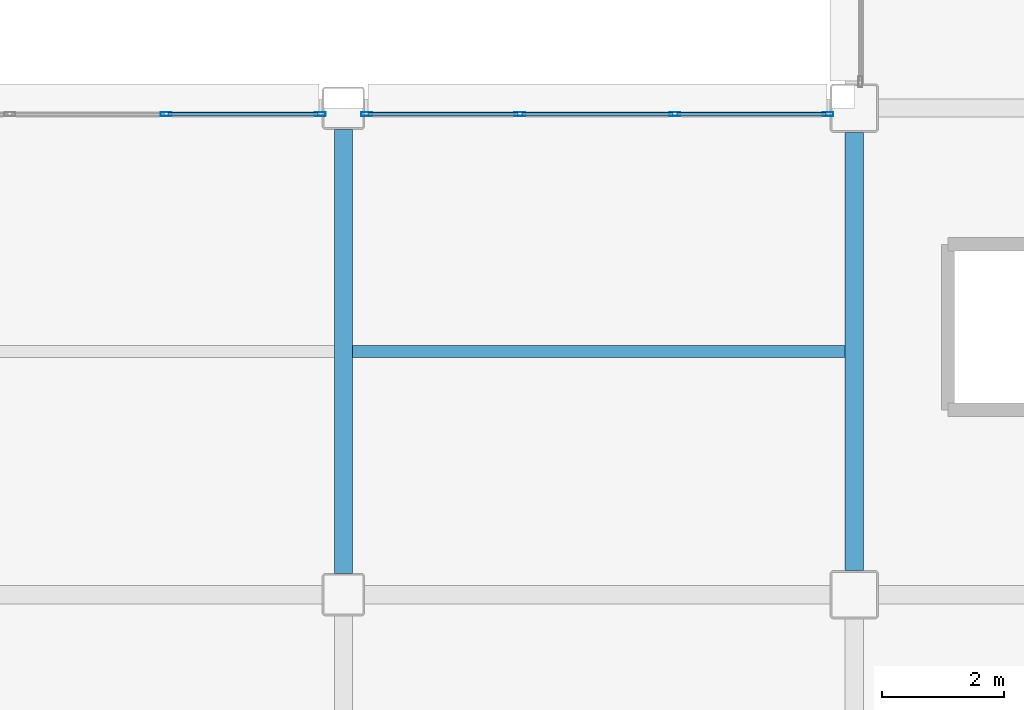
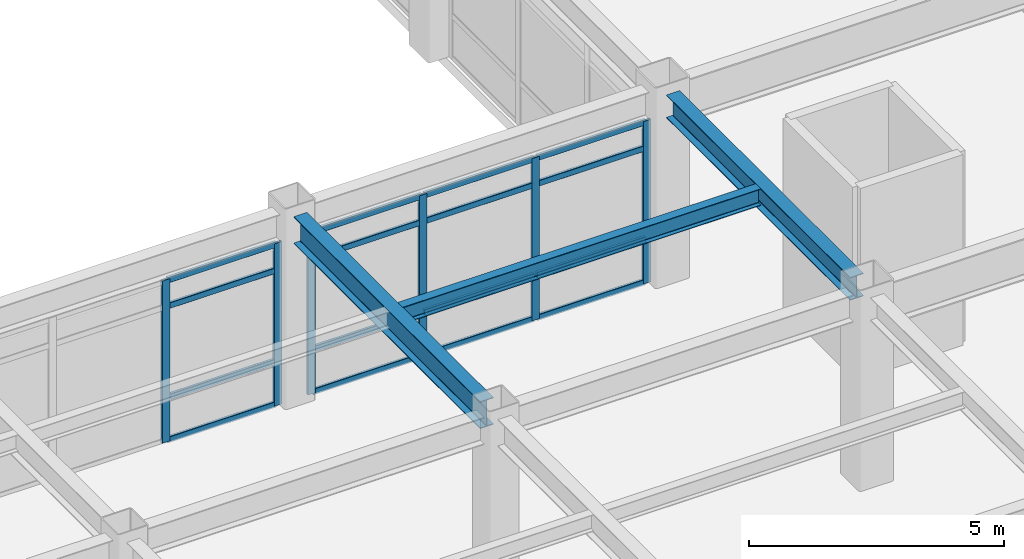
# One storey, part 85 of 154: 22 members, 3 beams, 2 elements without a shape of their own.
"""IFC4 building model written with IfcOpenShell, lengths in metres."""

from ifc_helpers import new_model, si_unit, direction, frame, origin, origin_2d, place, context, subcontext, project, spatial, hollow_rectangle, i_section, extrude, material, layer, layer_set, material_profile, profile_set, type_object, element, aggregate, save


model = new_model("IFC4")

# Units and contexts
model_context = context("Model", 3, precision=1e-05, world=origin(), true_north=direction((0.0, 1.0)))
body_context = subcontext(model_context, "Body", "Model", "MODEL_VIEW")
ifc_project = project(units=[si_unit("LENGTHUNIT", "METRE"), si_unit("AREAUNIT", "SQUARE_METRE"), si_unit("VOLUMEUNIT", "CUBIC_METRE"), si_unit("PLANEANGLEUNIT", "RADIAN"), si_unit("MASSUNIT", "GRAM", prefix="KILO")], contexts=[model_context])

# Site, building, storey
site_placement = place(None, origin())
site = spatial("IfcSite", under=ifc_project, at=site_placement, CompositionType="ELEMENT")
building_placement = place(site_placement, origin())
building = spatial("IfcBuilding", under=site, at=building_placement, Name="Kazehara Bluff Congress Hotel", CompositionType="ELEMENT")
storey_placement = place(building_placement, frame((0.0, 0.0, 10.199951171875)))
storey = spatial("IfcBuildingStorey", under=building, at=storey_placement, Name="L02", CompositionType="ELEMENT", Elevation=10.199951171875)

# Curtain wall, members
ifc_material_1 = material(Name="Anodised aluminium", Category="aluminium")
ifc_layer_1 = layer(ifc_material_1, 0.159912109375)
ifc_layer_set_1 = layer_set([ifc_layer_1], Name="Anodised aluminium")
curtain_wall_type_1 = type_object("IfcCurtainWallType", Name="TP-CW-79", PredefinedType="NOTDEFINED", material=ifc_layer_set_1)
curtain_wall_1_placement = place(storey_placement, origin())
curtain_wall_1 = element("IfcCurtainWall", 1, at=curtain_wall_1_placement, inside=storey, type_object=curtain_wall_type_1, Name="L02 curtain wall CW-79 CW-ENC-V5-L02-13110-3190", PredefinedType="NOTDEFINED")
ifc_material_2 = material(Name="Anodised aluminium", Category="aluminium")
ifc_material_profile_1 = material_profile(ifc_material_2, hollow_rectangle(XDim=0.06494140625, YDim=0.179931640625, WallThickness=0.00390625, InnerFilletRadius=0.00390625, OuterFilletRadius=0.008056640625, at=origin_2d()))
ifc_profile_set_1 = profile_set([ifc_material_profile_1], Name="Anodised aluminium")
member_type_1 = type_object("IfcMemberType", Name="TP-CWM-02", PredefinedType="MULLION", material=ifc_profile_set_1)
member_1_placement = place(storey_placement, frame((132.38330078125, 31.89990234375, 0.0), z_axis=(0.0, 0.0, 1.0), x_axis=(0.0, 1.0, 0.0)))
member_1 = element("IfcMember", 2, at=member_1_placement, type_object=member_type_1, Name="CW-79 mullion 3", PredefinedType="MULLION", context=body_context, shape_type="SweptSolid", body=[
    extrude(hollow_rectangle(XDim=0.06494140625, YDim=0.179931640625, WallThickness=0.00390625, InnerFilletRadius=0.00390625, OuterFilletRadius=0.008056640625, at=origin_2d()), origin(), (0.0, 0.0, 1.0), 3.885009765625),
])
member_2_placement = place(storey_placement, frame((134.91748046875, 31.89990234375, 0.0), z_axis=(0.0, 0.0, 1.0), x_axis=(0.0, 1.0, 0.0)))
member_2 = element("IfcMember", 3, at=member_2_placement, type_object=member_type_1, Name="CW-79 mullion 4", PredefinedType="MULLION", context=body_context, shape_type="SweptSolid", body=[
    extrude(hollow_rectangle(XDim=0.06494140625, YDim=0.179931640625, WallThickness=0.00390625, InnerFilletRadius=0.00390625, OuterFilletRadius=0.008056640625, at=origin_2d()), origin(), (0.0, 0.0, 1.0), 3.885009765625),
])

ifc_material_3 = material(Name="Anodised aluminium", Category="aluminium")
ifc_layer_2 = layer(ifc_material_3, 0.159912109375)
ifc_layer_set_2 = layer_set([ifc_layer_2], Name="Anodised aluminium")
curtain_wall_type_2 = type_object("IfcCurtainWallType", Name="TP-CW-22", PredefinedType="NOTDEFINED", material=ifc_layer_set_2)
curtain_wall_2_placement = place(storey_placement, origin())
curtain_wall_2 = element("IfcCurtainWall", 4, at=curtain_wall_2_placement, inside=storey, type_object=curtain_wall_type_2, Name="L02 curtain wall CW-22 CW-ENC-V5-L02-13948-3190", PredefinedType="NOTDEFINED")
member_3_placement = place(storey_placement, frame((135.6826171875, 31.89990234375, 0.0), z_axis=(0.0, 0.0, 1.0), x_axis=(0.0, 1.0, 0.0)))
member_3 = element("IfcMember", 5, at=member_3_placement, type_object=member_type_1, Name="CW-22 mullion 1", PredefinedType="MULLION", context=body_context, shape_type="SweptSolid", body=[
    extrude(hollow_rectangle(XDim=0.06494140625, YDim=0.179931640625, WallThickness=0.00390625, InnerFilletRadius=0.00390625, OuterFilletRadius=0.008056640625, at=origin_2d()), origin(), (0.0, 0.0, 1.0), 3.885009765625),
])
member_4_placement = place(storey_placement, frame((138.199951171875, 31.89990234375, 0.0), z_axis=(0.0, 0.0, 1.0), x_axis=(0.0, 1.0, 0.0)))
member_4 = element("IfcMember", 6, at=member_4_placement, type_object=member_type_1, Name="CW-22 mullion 2", PredefinedType="MULLION", context=body_context, shape_type="SweptSolid", body=[
    extrude(hollow_rectangle(XDim=0.06494140625, YDim=0.179931640625, WallThickness=0.00390625, InnerFilletRadius=0.00390625, OuterFilletRadius=0.008056640625, at=origin_2d()), origin(), (0.0, 0.0, 1.0), 3.885009765625),
])
member_5_placement = place(storey_placement, frame((140.75, 31.89990234375, 0.0), z_axis=(0.0, 0.0, 1.0), x_axis=(0.0, 1.0, 0.0)))
member_5 = element("IfcMember", 7, at=member_5_placement, type_object=member_type_1, Name="CW-22 mullion 3", PredefinedType="MULLION", context=body_context, shape_type="SweptSolid", body=[
    extrude(hollow_rectangle(XDim=0.06494140625, YDim=0.179931640625, WallThickness=0.00390625, InnerFilletRadius=0.00390625, OuterFilletRadius=0.008056640625, at=origin_2d()), origin(), (0.0, 0.0, 1.0), 3.885009765625),
])
member_6_placement = place(storey_placement, frame((143.267578125, 31.89990234375, 0.0), z_axis=(0.0, 0.0, 1.0), x_axis=(0.0, 1.0, 0.0)))
member_6 = element("IfcMember", 8, at=member_6_placement, type_object=member_type_1, Name="CW-22 mullion 4", PredefinedType="MULLION", context=body_context, shape_type="SweptSolid", body=[
    extrude(hollow_rectangle(XDim=0.06494140625, YDim=0.179931640625, WallThickness=0.00390625, InnerFilletRadius=0.00390625, OuterFilletRadius=0.008056640625, at=origin_2d()), origin(), (0.0, 0.0, 1.0), 3.885009765625),
])

# Member
ifc_material_4 = material(Name="Anodised aluminium", Category="aluminium")
ifc_material_profile_2 = material_profile(ifc_material_4, hollow_rectangle(XDim=0.06494140625, YDim=0.139892578125, WallThickness=0.00390625, InnerFilletRadius=0.00390625, OuterFilletRadius=0.008056640625, at=origin_2d()))
ifc_profile_set_2 = profile_set([ifc_material_profile_2], Name="Anodised aluminium")
member_type_2 = type_object("IfcMemberType", Name="TP-CWT-02", PredefinedType="USERDEFINED", material=ifc_profile_set_2)
member_7_placement = place(storey_placement, frame((132.415771484375, 31.89990234375, 0.032470703125), z_axis=(1.0, 0.0, 0.0), x_axis=(0.0, 1.0, 0.0)))
member_7 = element("IfcMember", 9, at=member_7_placement, type_object=member_type_2, Name="CW-79 transom 3.1", ObjectType="TRANSOM", PredefinedType="USERDEFINED", context=body_context, shape_type="SweptSolid", body=[
    extrude(hollow_rectangle(XDim=0.06494140625, YDim=0.139892578125, WallThickness=0.00390625, InnerFilletRadius=0.00390625, OuterFilletRadius=0.008056640625, at=origin_2d()), origin(), (0.0, 0.0, 1.0), 2.46923828125),
])

member_8_placement = place(storey_placement, frame((132.415771484375, 31.89990234375, 1.050048828125), z_axis=(1.0, 0.0, 0.0), x_axis=(0.0, 1.0, 0.0)))
member_8 = element("IfcMember", 10, at=member_8_placement, type_object=member_type_2, Name="CW-79 transom 3.2", ObjectType="TRANSOM", PredefinedType="USERDEFINED", context=body_context, shape_type="SweptSolid", body=[
    extrude(hollow_rectangle(XDim=0.06494140625, YDim=0.139892578125, WallThickness=0.00390625, InnerFilletRadius=0.00390625, OuterFilletRadius=0.008056640625, at=origin_2d()), origin(), (0.0, 0.0, 1.0), 2.46923828125),
])

member_9_placement = place(storey_placement, frame((132.415771484375, 31.89990234375, 3.235107421875), z_axis=(1.0, 0.0, 0.0), x_axis=(0.0, 1.0, 0.0)))
member_9 = element("IfcMember", 11, at=member_9_placement, type_object=member_type_2, Name="CW-79 transom 3.3", ObjectType="TRANSOM", PredefinedType="USERDEFINED", context=body_context, shape_type="SweptSolid", body=[
    extrude(hollow_rectangle(XDim=0.06494140625, YDim=0.139892578125, WallThickness=0.00390625, InnerFilletRadius=0.00390625, OuterFilletRadius=0.008056640625, at=origin_2d()), origin(), (0.0, 0.0, 1.0), 2.46923828125),
])

member_10_placement = place(storey_placement, frame((132.415771484375, 31.89990234375, 3.8525390625), z_axis=(1.0, 0.0, 0.0), x_axis=(0.0, 1.0, 0.0)))
member_10 = element("IfcMember", 12, at=member_10_placement, type_object=member_type_2, Name="CW-79 transom 3.4", ObjectType="TRANSOM", PredefinedType="USERDEFINED", context=body_context, shape_type="SweptSolid", body=[
    extrude(hollow_rectangle(XDim=0.06494140625, YDim=0.139892578125, WallThickness=0.00390625, InnerFilletRadius=0.00390625, OuterFilletRadius=0.008056640625, at=origin_2d()), origin(), (0.0, 0.0, 1.0), 2.46923828125),
])

aggregate(curtain_wall_1, [member_1, member_2, member_7, member_8, member_9, member_10])

member_11_placement = place(storey_placement, frame((135.715087890625, 31.89990234375, 0.032470703125), z_axis=(1.0, 0.0, 0.0), x_axis=(0.0, 1.0, 0.0)))
member_11 = element("IfcMember", 13, at=member_11_placement, type_object=member_type_2, Name="CW-22 transom 1.1", ObjectType="TRANSOM", PredefinedType="USERDEFINED", context=body_context, shape_type="SweptSolid", body=[
    extrude(hollow_rectangle(XDim=0.06494140625, YDim=0.139892578125, WallThickness=0.00390625, InnerFilletRadius=0.00390625, OuterFilletRadius=0.008056640625, at=origin_2d()), origin(), (0.0, 0.0, 1.0), 2.452392578125),
])

member_12_placement = place(storey_placement, frame((135.715087890625, 31.89990234375, 1.050048828125), z_axis=(1.0, 0.0, 0.0), x_axis=(0.0, 1.0, 0.0)))
member_12 = element("IfcMember", 14, at=member_12_placement, type_object=member_type_2, Name="CW-22 transom 1.2", ObjectType="TRANSOM", PredefinedType="USERDEFINED", context=body_context, shape_type="SweptSolid", body=[
    extrude(hollow_rectangle(XDim=0.06494140625, YDim=0.139892578125, WallThickness=0.00390625, InnerFilletRadius=0.00390625, OuterFilletRadius=0.008056640625, at=origin_2d()), origin(), (0.0, 0.0, 1.0), 2.452392578125),
])

member_13_placement = place(storey_placement, frame((135.715087890625, 31.89990234375, 3.235107421875), z_axis=(1.0, 0.0, 0.0), x_axis=(0.0, 1.0, 0.0)))
member_13 = element("IfcMember", 15, at=member_13_placement, type_object=member_type_2, Name="CW-22 transom 1.3", ObjectType="TRANSOM", PredefinedType="USERDEFINED", context=body_context, shape_type="SweptSolid", body=[
    extrude(hollow_rectangle(XDim=0.06494140625, YDim=0.139892578125, WallThickness=0.00390625, InnerFilletRadius=0.00390625, OuterFilletRadius=0.008056640625, at=origin_2d()), origin(), (0.0, 0.0, 1.0), 2.452392578125),
])

member_14_placement = place(storey_placement, frame((135.715087890625, 31.89990234375, 3.8525390625), z_axis=(1.0, 0.0, 0.0), x_axis=(0.0, 1.0, 0.0)))
member_14 = element("IfcMember", 16, at=member_14_placement, type_object=member_type_2, Name="CW-22 transom 1.4", ObjectType="TRANSOM", PredefinedType="USERDEFINED", context=body_context, shape_type="SweptSolid", body=[
    extrude(hollow_rectangle(XDim=0.06494140625, YDim=0.139892578125, WallThickness=0.00390625, InnerFilletRadius=0.00390625, OuterFilletRadius=0.008056640625, at=origin_2d()), origin(), (0.0, 0.0, 1.0), 2.452392578125),
])

member_15_placement = place(storey_placement, frame((138.232421875, 31.89990234375, 0.032470703125), z_axis=(1.0, 0.0, 0.0), x_axis=(0.0, 1.0, 0.0)))
member_15 = element("IfcMember", 17, at=member_15_placement, type_object=member_type_2, Name="CW-22 transom 2.1", ObjectType="TRANSOM", PredefinedType="USERDEFINED", context=body_context, shape_type="SweptSolid", body=[
    extrude(hollow_rectangle(XDim=0.06494140625, YDim=0.139892578125, WallThickness=0.00390625, InnerFilletRadius=0.00390625, OuterFilletRadius=0.008056640625, at=origin_2d()), origin(), (0.0, 0.0, 1.0), 2.485107421875),
])

member_16_placement = place(storey_placement, frame((138.232421875, 31.89990234375, 1.050048828125), z_axis=(1.0, 0.0, 0.0), x_axis=(0.0, 1.0, 0.0)))
member_16 = element("IfcMember", 18, at=member_16_placement, type_object=member_type_2, Name="CW-22 transom 2.2", ObjectType="TRANSOM", PredefinedType="USERDEFINED", context=body_context, shape_type="SweptSolid", body=[
    extrude(hollow_rectangle(XDim=0.06494140625, YDim=0.139892578125, WallThickness=0.00390625, InnerFilletRadius=0.00390625, OuterFilletRadius=0.008056640625, at=origin_2d()), origin(), (0.0, 0.0, 1.0), 2.485107421875),
])

member_17_placement = place(storey_placement, frame((138.232421875, 31.89990234375, 3.235107421875), z_axis=(1.0, 0.0, 0.0), x_axis=(0.0, 1.0, 0.0)))
member_17 = element("IfcMember", 19, at=member_17_placement, type_object=member_type_2, Name="CW-22 transom 2.3", ObjectType="TRANSOM", PredefinedType="USERDEFINED", context=body_context, shape_type="SweptSolid", body=[
    extrude(hollow_rectangle(XDim=0.06494140625, YDim=0.139892578125, WallThickness=0.00390625, InnerFilletRadius=0.00390625, OuterFilletRadius=0.008056640625, at=origin_2d()), origin(), (0.0, 0.0, 1.0), 2.485107421875),
])

member_18_placement = place(storey_placement, frame((138.232421875, 31.89990234375, 3.8525390625), z_axis=(1.0, 0.0, 0.0), x_axis=(0.0, 1.0, 0.0)))
member_18 = element("IfcMember", 20, at=member_18_placement, type_object=member_type_2, Name="CW-22 transom 2.4", ObjectType="TRANSOM", PredefinedType="USERDEFINED", context=body_context, shape_type="SweptSolid", body=[
    extrude(hollow_rectangle(XDim=0.06494140625, YDim=0.139892578125, WallThickness=0.00390625, InnerFilletRadius=0.00390625, OuterFilletRadius=0.008056640625, at=origin_2d()), origin(), (0.0, 0.0, 1.0), 2.485107421875),
])

member_19_placement = place(storey_placement, frame((140.782470703125, 31.89990234375, 0.032470703125), z_axis=(1.0, 0.0, 0.0), x_axis=(0.0, 1.0, 0.0)))
member_19 = element("IfcMember", 21, at=member_19_placement, type_object=member_type_2, Name="CW-22 transom 3.1", ObjectType="TRANSOM", PredefinedType="USERDEFINED", context=body_context, shape_type="SweptSolid", body=[
    extrude(hollow_rectangle(XDim=0.06494140625, YDim=0.139892578125, WallThickness=0.00390625, InnerFilletRadius=0.00390625, OuterFilletRadius=0.008056640625, at=origin_2d()), origin(), (0.0, 0.0, 1.0), 2.45263671875),
])

member_20_placement = place(storey_placement, frame((140.782470703125, 31.89990234375, 1.050048828125), z_axis=(1.0, 0.0, 0.0), x_axis=(0.0, 1.0, 0.0)))
member_20 = element("IfcMember", 22, at=member_20_placement, type_object=member_type_2, Name="CW-22 transom 3.2", ObjectType="TRANSOM", PredefinedType="USERDEFINED", context=body_context, shape_type="SweptSolid", body=[
    extrude(hollow_rectangle(XDim=0.06494140625, YDim=0.139892578125, WallThickness=0.00390625, InnerFilletRadius=0.00390625, OuterFilletRadius=0.008056640625, at=origin_2d()), origin(), (0.0, 0.0, 1.0), 2.45263671875),
])

member_21_placement = place(storey_placement, frame((140.782470703125, 31.89990234375, 3.235107421875), z_axis=(1.0, 0.0, 0.0), x_axis=(0.0, 1.0, 0.0)))
member_21 = element("IfcMember", 23, at=member_21_placement, type_object=member_type_2, Name="CW-22 transom 3.3", ObjectType="TRANSOM", PredefinedType="USERDEFINED", context=body_context, shape_type="SweptSolid", body=[
    extrude(hollow_rectangle(XDim=0.06494140625, YDim=0.139892578125, WallThickness=0.00390625, InnerFilletRadius=0.00390625, OuterFilletRadius=0.008056640625, at=origin_2d()), origin(), (0.0, 0.0, 1.0), 2.45263671875),
])

member_22_placement = place(storey_placement, frame((140.782470703125, 31.89990234375, 3.8525390625), z_axis=(1.0, 0.0, 0.0), x_axis=(0.0, 1.0, 0.0)))
member_22 = element("IfcMember", 24, at=member_22_placement, type_object=member_type_2, Name="CW-22 transom 3.4", ObjectType="TRANSOM", PredefinedType="USERDEFINED", context=body_context, shape_type="SweptSolid", body=[
    extrude(hollow_rectangle(XDim=0.06494140625, YDim=0.139892578125, WallThickness=0.00390625, InnerFilletRadius=0.00390625, OuterFilletRadius=0.008056640625, at=origin_2d()), origin(), (0.0, 0.0, 1.0), 2.45263671875),
])

aggregate(curtain_wall_2, [member_3, member_4, member_5, member_6, member_11, member_12, member_13, member_14, member_15, member_16, member_17, member_18, member_19, member_20, member_21, member_22])

# Beams
ifc_material_5 = material(Name="Steel SN490B", Category="steel")
ifc_material_profile_3 = material_profile(ifc_material_5, i_section(OverallWidth=0.300048828125, OverallDepth=0.64990234375, WebThickness=0.011962890625, FlangeThickness=0.02001953125, FilletRadius=0.012939453125, at=origin_2d()))
ifc_profile_set_3 = profile_set([ifc_material_profile_3], Name="Steel SN490B")
beam_type_1 = type_object("IfcBeamType", Name="TP-G-03", PredefinedType="BEAM", material=ifc_profile_set_3)
beam_1_placement = place(storey_placement, frame((135.300048828125, 24.35009765625, 4.235107421875), z_axis=(0.0, 1.0, 0.0), x_axis=(-1.0, 0.0, 0.0)))
element("IfcBeam", 25, at=beam_1_placement, inside=storey, type_object=beam_type_1, Name="L02 girder G-03 137", PredefinedType="BEAM", context=body_context, shape_type="SweptSolid", body=[
    extrude(i_section(OverallWidth=0.300048828125, OverallDepth=0.64990234375, WebThickness=0.011962890625, FlangeThickness=0.02001953125, FilletRadius=0.012939453125, at=origin_2d()), origin(), (0.0, 0.0, 1.0), 7.2998046875),
])
ifc_material_6 = material(Name="Steel SN400B", Category="steel")
ifc_material_profile_4 = material_profile(ifc_material_6, i_section(OverallWidth=0.199951171875, OverallDepth=0.39990234375, WebThickness=0.008056640625, FlangeThickness=0.012939453125, FilletRadius=0.012939453125, at=origin_2d()))
ifc_profile_set_4 = profile_set([ifc_material_profile_4], Name="Steel SN400B")
beam_type_2 = type_object("IfcBeamType", Name="TP-J-03", PredefinedType="JOIST", material=ifc_profile_set_4)
beam_2_placement = place(storey_placement, frame((135.449951171875, 28.0, 4.360107421875), z_axis=(1.0, 0.0, 0.0), x_axis=(0.0, 1.0, 0.0)))
element("IfcBeam", 26, at=beam_2_placement, inside=storey, type_object=beam_type_2, Name="L02 secondary joist J-03 34", PredefinedType="JOIST", context=body_context, shape_type="SweptSolid", body=[
    extrude(i_section(OverallWidth=0.199951171875, OverallDepth=0.39990234375, WebThickness=0.008056640625, FlangeThickness=0.012939453125, FilletRadius=0.012939453125, at=origin_2d()), origin(), (0.0, 0.0, 1.0), 8.10009765625),
])
ifc_material_7 = material(Name="Steel SN490B", Category="steel")
ifc_material_profile_5 = material_profile(ifc_material_7, i_section(OverallWidth=0.300048828125, OverallDepth=0.550048828125, WebThickness=0.010986328125, FlangeThickness=0.01806640625, FilletRadius=0.012939453125, at=origin_2d()))
ifc_profile_set_5 = profile_set([ifc_material_profile_5], Name="Steel SN490B")
beam_type_3 = type_object("IfcBeamType", Name="TP-SP-01", PredefinedType="SPANDREL", material=ifc_profile_set_5)
beam_3_placement = place(storey_placement, frame((143.699951171875, 24.39990234375, 4.28515625), z_axis=(0.0, 1.0, 0.0), x_axis=(-1.0, 0.0, 0.0)))
element("IfcBeam", 27, at=beam_3_placement, inside=storey, type_object=beam_type_3, Name="L02 girder SP-01 141", PredefinedType="SPANDREL", context=body_context, shape_type="SweptSolid", body=[
    extrude(i_section(OverallWidth=0.300048828125, OverallDepth=0.550048828125, WebThickness=0.010986328125, FlangeThickness=0.01806640625, FilletRadius=0.012939453125, at=origin_2d()), origin(), (0.0, 0.0, 1.0), 7.2001953125),
])

save(model, "model.ifc")
